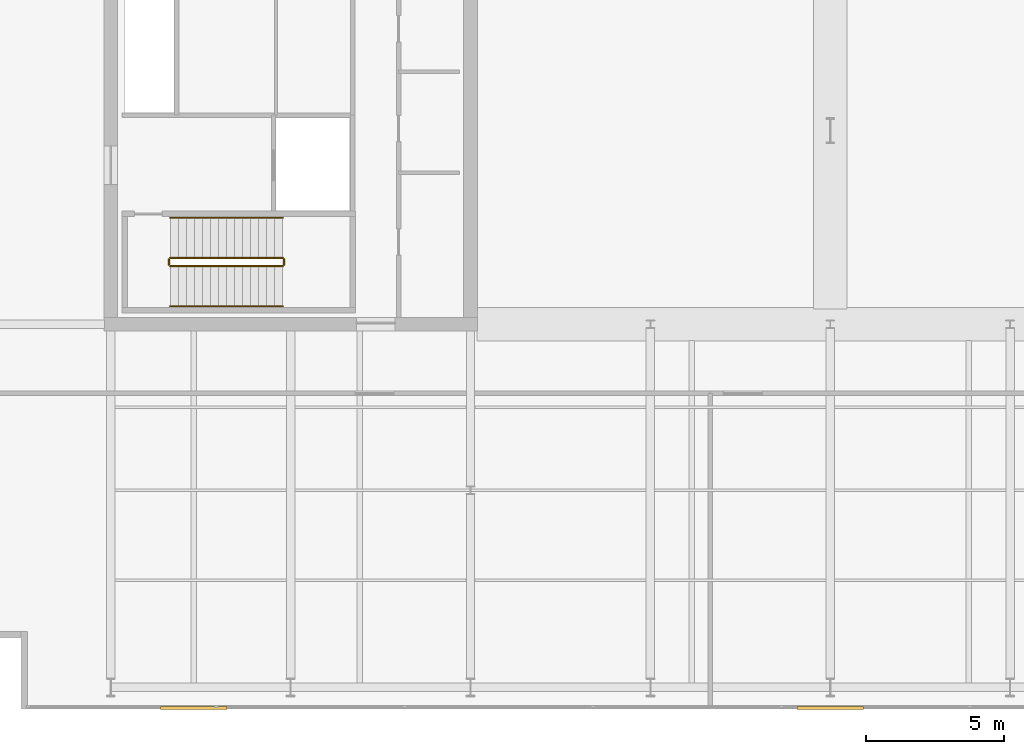
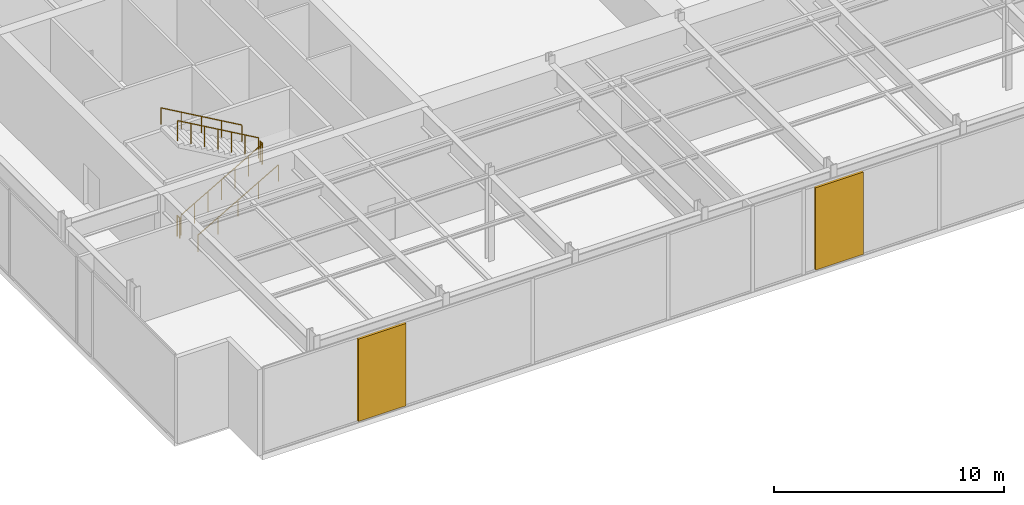
# One storey, part 20 of 21: 6 railings, 2 shading devices.
"""IFC4 building model written with IfcOpenShell, lengths in metres."""

from ifc_helpers import new_model, si_unit, direction, frame, origin, origin_2d, place, context, subcontext, project, spatial, rectangle, circle, extrude, material, layer, layer_set, type_object, element, save


model = new_model("IFC4")

# Units and contexts
model_context = context("Model", 3, precision=1e-05, world=origin(), true_north=direction((0.0, 1.0)))
body_context = subcontext(model_context, "Body", "Model", "MODEL_VIEW")
ifc_project = project(units=[si_unit("LENGTHUNIT", "METRE"), si_unit("AREAUNIT", "SQUARE_METRE"), si_unit("VOLUMEUNIT", "CUBIC_METRE"), si_unit("PLANEANGLEUNIT", "RADIAN"), si_unit("MASSUNIT", "GRAM", prefix="KILO")], contexts=[model_context])

# Site, building, storey
site_placement = place(None, origin())
site = spatial("IfcSite", under=ifc_project, at=site_placement, CompositionType="ELEMENT")
building_placement = place(site_placement, origin())
building = spatial("IfcBuilding", under=site, at=building_placement, Name="Putna Gate Headquarters", CompositionType="ELEMENT")
storey_placement = place(building_placement, frame((0.0, 0.0, 315.39990234375)))
storey = spatial("IfcBuildingStorey", under=building, at=storey_placement, Name="L79", CompositionType="ELEMENT", Elevation=315.39990234375)

# Railings
ifc_material_1 = material(Name="Powder-coated steel stair guardrail", Category="steel")
railing_type_1 = type_object("IfcRailingType", Name="RAIL-STAIR-GUARD-1100", PredefinedType="GUARDRAIL", material=ifc_material_1)
railing_1_placement = place(storey_placement, frame((15.14990234375, 21.10009765625, 0.166748046875)))
element("IfcRailing", 1, at=railing_1_placement, inside=storey, type_object=railing_type_1, Name="L79 ST1 stair guard 1", PredefinedType="GUARDRAIL", context=body_context, shape_type="SweptSolid", body=[
    extrude(circle(Radius=0.02392578125, at=origin_2d()), frame((0.0, 0.0, 1.076171875), z_axis=(0.867024558463, 0.0, 0.498265406207), x_axis=(0.0, 1.0, 0.0)), (0.0, 0.0, 1.0), 4.682861328125),
    extrude(circle(Radius=0.02099609375, at=origin_2d()), origin(), (0.0, 0.0, 1.0), 1.052001953125),
    extrude(circle(Radius=0.02099609375, at=origin_2d()), frame((0.6767578125, 0.0, 0.388916015625)), (0.0, 0.0, 1.0), 1.052001953125),
    extrude(circle(Radius=0.02099609375, at=origin_2d()), frame((1.353271484375, 0.0, 0.77783203125)), (0.0, 0.0, 1.0), 1.052001953125),
    extrude(circle(Radius=0.02099609375, at=origin_2d()), frame((2.030029296875, 0.0, 1.16650390625)), (0.0, 0.0, 1.0), 1.052001953125),
    extrude(circle(Radius=0.02099609375, at=origin_2d()), frame((2.706787109375, 0.0, 1.555419921875)), (0.0, 0.0, 1.0), 1.052001953125),
    extrude(circle(Radius=0.02099609375, at=origin_2d()), frame((3.38330078125, 0.0, 1.9443359375)), (0.0, 0.0, 1.0), 1.052001953125),
    extrude(circle(Radius=0.02099609375, at=origin_2d()), frame((4.06005859375, 0.0, 2.333251953125)), (0.0, 0.0, 1.0), 1.052001953125),
])
railing_2_placement = place(storey_placement, frame((19.260009765625, 21.14990234375, 2.5)))
element("IfcRailing", 2, at=railing_2_placement, inside=storey, type_object=railing_type_1, Name="L79 ST1 stair guard 2", PredefinedType="GUARDRAIL", context=body_context, shape_type="SweptSolid", body=[
    extrude(circle(Radius=0.02392578125, at=origin_2d()), frame((0.0, 0.0, 1.076171875), z_axis=(0.0, 1.0, 0.0), x_axis=(-1.0, 0.0, 0.0)), (0.0, 0.0, 1.0), 0.2001953125),
    extrude(circle(Radius=0.02099609375, at=origin_2d()), origin(), (0.0, 0.0, 1.0), 1.052001953125),
    extrude(circle(Radius=0.02099609375, at=origin_2d()), frame((0.0, 0.2001953125, 0.0)), (0.0, 0.0, 1.0), 1.052001953125),
])
railing_3_placement = place(storey_placement, frame((19.2099609375, 21.39990234375, 2.666748046875)))
element("IfcRailing", 3, at=railing_3_placement, inside=storey, type_object=railing_type_1, Name="L79 ST1 stair guard 3", PredefinedType="GUARDRAIL", context=body_context, shape_type="SweptSolid", body=[
    extrude(circle(Radius=0.02392578125, at=origin_2d()), frame((0.0, 0.0, 1.076171875), z_axis=(-0.867024558463, 0.0, 0.498265406207), x_axis=(0.0, -1.0, 0.0)), (0.0, 0.0, 1.0), 4.682861328125),
    extrude(circle(Radius=0.02099609375, at=origin_2d()), origin(), (0.0, 0.0, 1.0), 1.052001953125),
    extrude(circle(Radius=0.02099609375, at=origin_2d()), frame((-0.6767578125, 0.0, 0.388916015625)), (0.0, 0.0, 1.0), 1.052001953125),
    extrude(circle(Radius=0.02099609375, at=origin_2d()), frame((-1.353271484375, 0.0, 0.77783203125)), (0.0, 0.0, 1.0), 1.052001953125),
    extrude(circle(Radius=0.02099609375, at=origin_2d()), frame((-2.030029296875, 0.0, 1.16650390625)), (0.0, 0.0, 1.0), 1.052001953125),
    extrude(circle(Radius=0.02099609375, at=origin_2d()), frame((-2.706787109375, 0.0, 1.555419921875)), (0.0, 0.0, 1.0), 1.052001953125),
    extrude(circle(Radius=0.02099609375, at=origin_2d()), frame((-3.38330078125, 0.0, 1.9443359375)), (0.0, 0.0, 1.0), 1.052001953125),
    extrude(circle(Radius=0.02099609375, at=origin_2d()), frame((-4.06005859375, 0.0, 2.333251953125)), (0.0, 0.0, 1.0), 1.052001953125),
])
railing_4_placement = place(storey_placement, frame((15.10009765625, 21.14990234375, 0.0)))
element("IfcRailing", 4, at=railing_4_placement, inside=storey, type_object=railing_type_1, Name="L79 ST1 stair guard 4", PredefinedType="GUARDRAIL", context=body_context, shape_type="SweptSolid", body=[
    extrude(circle(Radius=0.02392578125, at=origin_2d()), frame((0.0, 0.0, 1.076171875), z_axis=(0.0, 1.0, 0.0), x_axis=(-1.0, 0.0, 0.0)), (0.0, 0.0, 1.0), 0.2001953125),
    extrude(circle(Radius=0.02099609375, at=origin_2d()), origin(), (0.0, 0.0, 1.0), 1.052001953125),
    extrude(circle(Radius=0.02099609375, at=origin_2d()), frame((0.0, 0.2001953125, 0.0)), (0.0, 0.0, 1.0), 1.052001953125),
])
ifc_material_2 = material(Name="Brushed stainless steel handrail", Category="steel")
railing_type_2 = type_object("IfcRailingType", Name="RAIL-STAIR-HAND-900", PredefinedType="HANDRAIL", material=ifc_material_2)
railing_5_placement = place(storey_placement, frame((15.14990234375, 19.64990234375, 0.166748046875)))
element("IfcRailing", 5, at=railing_5_placement, inside=storey, type_object=railing_type_2, Name="L79 ST1 stair handrail 1", PredefinedType="HANDRAIL", context=body_context, shape_type="SweptSolid", body=[
    extrude(circle(Radius=0.02392578125, at=origin_2d()), frame((0.0, 0.0, 0.8759765625), z_axis=(0.867024558463, 0.0, 0.498265406207), x_axis=(0.0, 1.0, 0.0)), (0.0, 0.0, 1.0), 4.682861328125),
    extrude(circle(Radius=0.02099609375, at=origin_2d()), origin(), (0.0, 0.0, 1.0), 0.851806640625),
    extrude(circle(Radius=0.02099609375, at=origin_2d()), frame((1.01513671875, 0.0, 0.583251953125)), (0.0, 0.0, 1.0), 0.851806640625),
    extrude(circle(Radius=0.02099609375, at=origin_2d()), frame((2.030029296875, 0.0, 1.16650390625)), (0.0, 0.0, 1.0), 0.851806640625),
    extrude(circle(Radius=0.02099609375, at=origin_2d()), frame((3.044921875, 0.0, 1.75)), (0.0, 0.0, 1.0), 0.851806640625),
    extrude(circle(Radius=0.02099609375, at=origin_2d()), frame((4.06005859375, 0.0, 2.333251953125)), (0.0, 0.0, 1.0), 0.851806640625),
])
railing_6_placement = place(storey_placement, frame((19.2099609375, 22.85009765625, 2.666748046875)))
element("IfcRailing", 6, at=railing_6_placement, inside=storey, type_object=railing_type_2, Name="L79 ST1 stair handrail 2", PredefinedType="HANDRAIL", context=body_context, shape_type="SweptSolid", body=[
    extrude(circle(Radius=0.02392578125, at=origin_2d()), frame((0.0, 0.0, 0.8759765625), z_axis=(-0.867024558463, 0.0, 0.498265406207), x_axis=(0.0, -1.0, 0.0)), (0.0, 0.0, 1.0), 4.682861328125),
    extrude(circle(Radius=0.02099609375, at=origin_2d()), origin(), (0.0, 0.0, 1.0), 0.851806640625),
    extrude(circle(Radius=0.02099609375, at=origin_2d()), frame((-1.01513671875, 0.0, 0.583251953125)), (0.0, 0.0, 1.0), 0.851806640625),
    extrude(circle(Radius=0.02099609375, at=origin_2d()), frame((-2.030029296875, 0.0, 1.16650390625)), (0.0, 0.0, 1.0), 0.851806640625),
    extrude(circle(Radius=0.02099609375, at=origin_2d()), frame((-3.044921875, 0.0, 1.75)), (0.0, 0.0, 1.0), 0.851806640625),
    extrude(circle(Radius=0.02099609375, at=origin_2d()), frame((-4.06005859375, 0.0, 2.333251953125)), (0.0, 0.0, 1.0), 0.851806640625),
])

# Shading devices
ifc_material_3 = material(Name="Anodised bronze acoustic weather louvre", Category="aluminium")
ifc_layer = layer(ifc_material_3, 0.1201171875)
ifc_layer_set = layer_set([ifc_layer], Name="Anodised bronze acoustic weather louvre")
shading_device_type = type_object("IfcShadingDeviceType", Name="SHADE-PLANT-LOUVRE", PredefinedType="JALOUSIE", material=ifc_layer_set)
for number, where, z_axis, x_axis, name in (
    (7, (16.0, 5.1298828125, 0.10009765625), (0.0, 0.0, 1.0), (1.0, 0.0, 0.0), "L79 Bronze Acoustic Louvre S1"),
    (8, (39.0, 5.1298828125, 0.10009765625), (0.0, 0.0, 1.0), (1.0, 0.0, 0.0), "L79 Bronze Acoustic Louvre S2"),
):
    element("IfcShadingDevice", number, at=place(storey_placement, frame(where, z_axis=z_axis, x_axis=x_axis)), inside=storey, type_object=shading_device_type, Name=name, PredefinedType="JALOUSIE", context=body_context, shape_type="SweptSolid", body=[
        extrude(rectangle(XDim=2.39990234375, YDim=0.1201171875, at=origin_2d()), origin(), (0.0, 0.0, 1.0), 4.3798828125),
    ])

save(model, "model.ifc")
